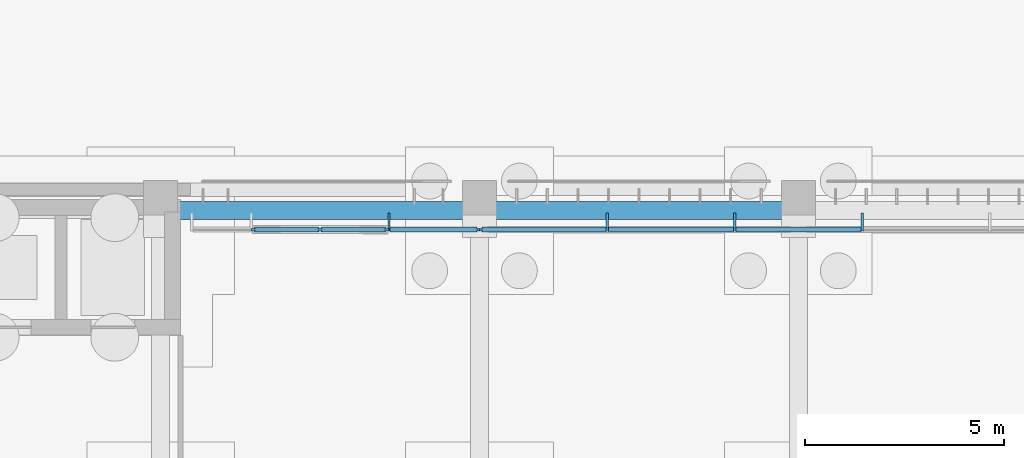
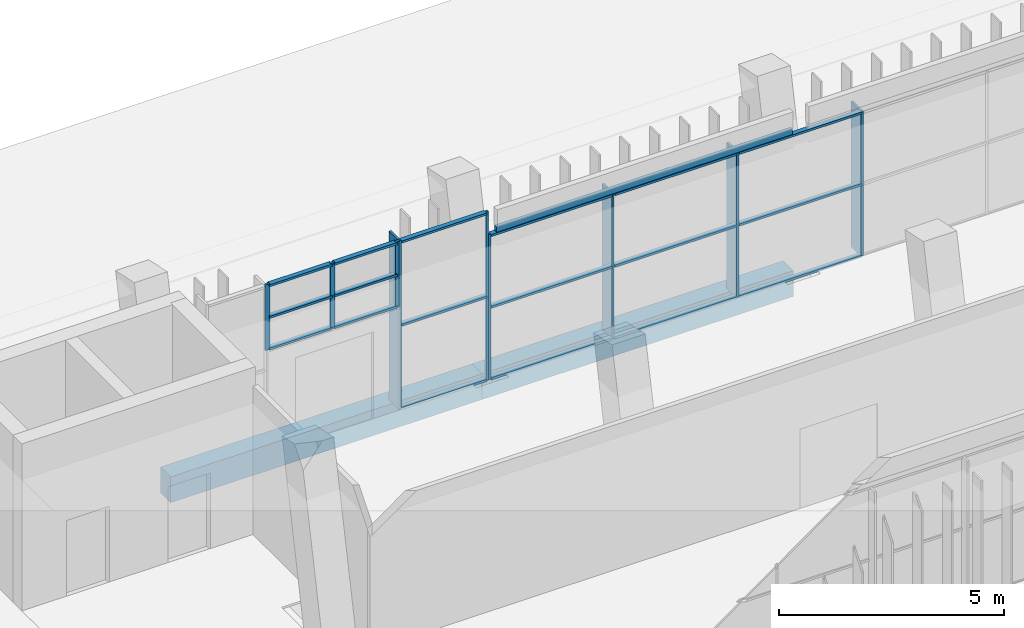
# One storey, part 65 of 144: 27 members, 3 beams, 3 elements without a shape of their own.
"""IFC4 building model written with IfcOpenShell, lengths in metres."""

from ifc_helpers import new_model, si_unit, direction, frame, origin, origin_2d, place, context, subcontext, project, spatial, rectangle, hollow_rectangle, extrude, material, material_profile, profile_set, type_object, element, aggregate, save


model = new_model("IFC4")

# Units and contexts
model_context = context("Model", 3, precision=1e-05, world=origin(), true_north=direction((0.0, 1.0)))
body_context = subcontext(model_context, "Body", "Model", "MODEL_VIEW")
ifc_project = project(units=[si_unit("LENGTHUNIT", "METRE"), si_unit("AREAUNIT", "SQUARE_METRE"), si_unit("VOLUMEUNIT", "CUBIC_METRE"), si_unit("PLANEANGLEUNIT", "RADIAN"), si_unit("MASSUNIT", "GRAM", prefix="KILO")], contexts=[model_context])

# Site, building, storey
site_placement = place(None, origin())
site = spatial("IfcSite", under=ifc_project, at=site_placement, CompositionType="ELEMENT")
building_placement = place(site_placement, origin())
building = spatial("IfcBuilding", under=site, at=building_placement, Name="Lantern Court Media Centre", CompositionType="ELEMENT")
storey_placement = place(building_placement, origin())
storey = spatial("IfcBuildingStorey", under=building, at=storey_placement, Name="L00", CompositionType="ELEMENT", Elevation=0.0)

# Curtain wall, members
ifc_material_1 = material(Name="Curtain wall bay 1700")
curtain_wall_type_1 = type_object("IfcCurtainWallType", Name="Curtain wall bay 1700", PredefinedType="NOTDEFINED", material=ifc_material_1)
curtain_wall_1_placement = place(storey_placement, origin())
curtain_wall_1 = element("IfcCurtainWall", 1, at=curtain_wall_1_placement, inside=storey, type_object=curtain_wall_type_1, Name="Curtain wall N outer L00", PredefinedType="NOTDEFINED")
ifc_material_2 = material(Name="Anodised aluminium", Category="aluminium")
ifc_material_profile_1 = material_profile(ifc_material_2, rectangle(XDim=0.06005859375, YDim=0.1201171875, at=origin_2d()), Name="AL 60x120")
ifc_profile_set_1 = profile_set([ifc_material_profile_1], Name="Anodised aluminium")
member_type_1 = type_object("IfcMemberType", Name="Curtain wall mullion 60x120", PredefinedType="MULLION", material=ifc_profile_set_1)
member_1_placement = place(storey_placement, frame((34.330078125, 110.85009765625, 2.800048828125), z_axis=(0.0, 0.0, 1.0), x_axis=(0.0, 1.0, 0.0)))
member_1 = element("IfcMember", 2, at=member_1_placement, type_object=member_type_1, Name="CW4 mullion 1", PredefinedType="MULLION", context=body_context, shape_type="SweptSolid", body=[
    extrude(rectangle(XDim=0.06005859375, YDim=0.1201171875, at=origin_2d()), origin(), (0.0, 0.0, 1.0), 1.780029296875),
])
member_2_placement = place(storey_placement, frame((36.0, 110.85009765625, 2.800048828125), z_axis=(0.0, 0.0, 1.0), x_axis=(0.0, 1.0, 0.0)))
member_2 = element("IfcMember", 3, at=member_2_placement, type_object=member_type_1, Name="CW4 mullion 2", PredefinedType="MULLION", context=body_context, shape_type="SweptSolid", body=[
    extrude(rectangle(XDim=0.06005859375, YDim=0.1201171875, at=origin_2d()), origin(), (0.0, 0.0, 1.0), 1.780029296875),
])
member_3_placement = place(storey_placement, frame((37.669921875, 110.85009765625, 2.800048828125), z_axis=(0.0, 0.0, 1.0), x_axis=(0.0, 1.0, 0.0)))
member_3 = element("IfcMember", 4, at=member_3_placement, type_object=member_type_1, Name="CW4 mullion 3", PredefinedType="MULLION", context=body_context, shape_type="SweptSolid", body=[
    extrude(rectangle(XDim=0.06005859375, YDim=0.1201171875, at=origin_2d()), origin(), (0.0, 0.0, 1.0), 1.780029296875),
])

# Curtain wall, member
ifc_material_3 = material(Name="Curtain wall bay 3000")
curtain_wall_type_2 = type_object("IfcCurtainWallType", Name="Curtain wall bay 3000", PredefinedType="NOTDEFINED", material=ifc_material_3)
curtain_wall_2_placement = place(storey_placement, origin())
curtain_wall_2 = element("IfcCurtainWall", 5, at=curtain_wall_2_placement, inside=storey, type_object=curtain_wall_type_2, Name="Curtain wall N outer L00", PredefinedType="NOTDEFINED")
ifc_material_profile_2 = material_profile(ifc_material_2, rectangle(XDim=0.449951171875, YDim=0.06005859375, at=origin_2d()), Name="AL 60x450")
ifc_profile_set_2 = profile_set([ifc_material_profile_2], Name="Anodised aluminium")
member_type_2 = type_object("IfcMemberType", Name="Curtain wall mullion 60x450", PredefinedType="MULLION", material=ifc_profile_set_2)
member_4_placement = place(storey_placement, frame((37.72998046875, 111.044921875, 0.0), z_axis=(0.0, 0.0, 1.0), x_axis=(0.0, 1.0, 0.0)))
member_4 = element("IfcMember", 6, at=member_4_placement, type_object=member_type_2, Name="CW1 mullion 1", PredefinedType="MULLION", context=body_context, shape_type="SweptSolid", body=[
    extrude(rectangle(XDim=0.449951171875, YDim=0.06005859375, at=origin_2d()), origin(), (0.0, 0.0, 1.0), 4.580078125),
])

# Curtain wall, members
curtain_wall_3_placement = place(storey_placement, origin())
curtain_wall_3 = element("IfcCurtainWall", 7, at=curtain_wall_3_placement, inside=storey, type_object=curtain_wall_type_2, Name="Curtain wall N outer L00", PredefinedType="NOTDEFINED")
member_5_placement = place(storey_placement, frame((43.199951171875, 111.044921875, 0.0), z_axis=(0.0, 0.0, 1.0), x_axis=(0.0, 1.0, 0.0)))
member_5 = element("IfcMember", 8, at=member_5_placement, type_object=member_type_2, Name="CW1 mullion 2", PredefinedType="MULLION", context=body_context, shape_type="SweptSolid", body=[
    extrude(rectangle(XDim=0.449951171875, YDim=0.06005859375, at=origin_2d()), origin(), (0.0, 0.0, 1.0), 3.949951171875),
])
member_6_placement = place(storey_placement, frame((46.39990234375, 111.044921875, 0.0), z_axis=(0.0, 0.0, 1.0), x_axis=(0.0, 1.0, 0.0)))
member_6 = element("IfcMember", 9, at=member_6_placement, type_object=member_type_2, Name="CW1 mullion 3", PredefinedType="MULLION", context=body_context, shape_type="SweptSolid", body=[
    extrude(rectangle(XDim=0.449951171875, YDim=0.06005859375, at=origin_2d()), origin(), (0.0, 0.0, 1.0), 3.949951171875),
])
member_7_placement = place(storey_placement, frame((49.60009765625, 111.044921875, 0.0), z_axis=(0.0, 0.0, 1.0), x_axis=(0.0, 1.0, 0.0)))
member_7 = element("IfcMember", 10, at=member_7_placement, type_object=member_type_2, Name="CW1 mullion 4", PredefinedType="MULLION", context=body_context, shape_type="SweptSolid", body=[
    extrude(rectangle(XDim=0.449951171875, YDim=0.06005859375, at=origin_2d()), origin(), (0.0, 0.0, 1.0), 3.949951171875),
])

# Member
ifc_material_profile_3 = material_profile(ifc_material_2, rectangle(XDim=0.06005859375, YDim=0.06005859375, at=origin_2d()), Name="AL 60x60")
ifc_profile_set_3 = profile_set([ifc_material_profile_3], Name="Anodised aluminium")
member_type_3 = type_object("IfcMemberType", Name="Curtain wall mullion 60x60", PredefinedType="MULLION", material=ifc_profile_set_3)
member_8_placement = place(storey_placement, frame((39.969970703125, 110.85009765625, 0.0), z_axis=(0.0, 0.0, 1.0), x_axis=(0.0, 1.0, 0.0)))
member_8 = element("IfcMember", 11, at=member_8_placement, type_object=member_type_3, Name="CW1 mullion 2", PredefinedType="MULLION", context=body_context, shape_type="SweptSolid", body=[
    extrude(rectangle(XDim=0.06005859375, YDim=0.06005859375, at=origin_2d()), origin(), (0.0, 0.0, 1.0), 4.580078125),
])

member_9_placement = place(storey_placement, frame((40.030029296875, 110.85009765625, 0.0), z_axis=(0.0, 0.0, 1.0), x_axis=(0.0, 1.0, 0.0)))
member_9 = element("IfcMember", 12, at=member_9_placement, type_object=member_type_3, Name="CW1 mullion 1", PredefinedType="MULLION", context=body_context, shape_type="SweptSolid", body=[
    extrude(rectangle(XDim=0.06005859375, YDim=0.06005859375, at=origin_2d()), origin(), (0.0, 0.0, 1.0), 3.949951171875),
])

ifc_material_profile_4 = material_profile(ifc_material_2, rectangle(XDim=0.1201171875, YDim=0.06005859375, at=origin_2d()), Name="AL 60x120")
ifc_profile_set_4 = profile_set([ifc_material_profile_4], Name="Anodised aluminium")
member_type_4 = type_object("IfcMemberType", Name="Curtain wall transom 60x120", PredefinedType="USERDEFINED", material=ifc_profile_set_4)
member_10_placement = place(storey_placement, frame((37.760009765625, 110.85009765625, 0.030029296875), z_axis=(1.0, 0.0, 0.0), x_axis=(0.0, 1.0, 0.0)))
member_10 = element("IfcMember", 13, at=member_10_placement, type_object=member_type_4, Name="CW1 transom 1.1", ObjectType="TRANSOM", PredefinedType="USERDEFINED", context=body_context, shape_type="SweptSolid", body=[
    extrude(rectangle(XDim=0.1201171875, YDim=0.06005859375, at=origin_2d()), origin(), (0.0, 0.0, 1.0), 2.179931640625),
])

member_11_placement = place(storey_placement, frame((37.760009765625, 110.85009765625, 2.2900390625), z_axis=(1.0, 0.0, 0.0), x_axis=(0.0, 1.0, 0.0)))
member_11 = element("IfcMember", 14, at=member_11_placement, type_object=member_type_4, Name="CW1 transom 1.2", ObjectType="TRANSOM", PredefinedType="USERDEFINED", context=body_context, shape_type="SweptSolid", body=[
    extrude(rectangle(XDim=0.1201171875, YDim=0.06005859375, at=origin_2d()), origin(), (0.0, 0.0, 1.0), 2.179931640625),
])

member_12_placement = place(storey_placement, frame((37.760009765625, 110.85009765625, 4.550048828125), z_axis=(1.0, 0.0, 0.0), x_axis=(0.0, 1.0, 0.0)))
member_12 = element("IfcMember", 15, at=member_12_placement, type_object=member_type_4, Name="CW1 transom 1.3", ObjectType="TRANSOM", PredefinedType="USERDEFINED", context=body_context, shape_type="SweptSolid", body=[
    extrude(rectangle(XDim=0.1201171875, YDim=0.06005859375, at=origin_2d()), origin(), (0.0, 0.0, 1.0), 2.179931640625),
])

aggregate(curtain_wall_2, [member_4, member_8, member_10, member_11, member_12])

member_13_placement = place(storey_placement, frame((40.06005859375, 110.85009765625, 0.030029296875), z_axis=(1.0, 0.0, 0.0), x_axis=(0.0, 1.0, 0.0)))
member_13 = element("IfcMember", 16, at=member_13_placement, type_object=member_type_4, Name="CW1 transom 1.1", ObjectType="TRANSOM", PredefinedType="USERDEFINED", context=body_context, shape_type="SweptSolid", body=[
    extrude(rectangle(XDim=0.1201171875, YDim=0.06005859375, at=origin_2d()), origin(), (0.0, 0.0, 1.0), 3.10986328125),
])

member_14_placement = place(storey_placement, frame((40.06005859375, 110.85009765625, 1.97509765625), z_axis=(1.0, 0.0, 0.0), x_axis=(0.0, 1.0, 0.0)))
member_14 = element("IfcMember", 17, at=member_14_placement, type_object=member_type_4, Name="CW1 transom 1.2", ObjectType="TRANSOM", PredefinedType="USERDEFINED", context=body_context, shape_type="SweptSolid", body=[
    extrude(rectangle(XDim=0.1201171875, YDim=0.06005859375, at=origin_2d()), origin(), (0.0, 0.0, 1.0), 3.10986328125),
])

member_15_placement = place(storey_placement, frame((40.06005859375, 110.85009765625, 3.919921875), z_axis=(1.0, 0.0, 0.0), x_axis=(0.0, 1.0, 0.0)))
member_15 = element("IfcMember", 18, at=member_15_placement, type_object=member_type_4, Name="CW1 transom 1.3", ObjectType="TRANSOM", PredefinedType="USERDEFINED", context=body_context, shape_type="SweptSolid", body=[
    extrude(rectangle(XDim=0.1201171875, YDim=0.06005859375, at=origin_2d()), origin(), (0.0, 0.0, 1.0), 3.10986328125),
])

member_16_placement = place(storey_placement, frame((43.22998046875, 110.85009765625, 0.030029296875), z_axis=(1.0, 0.0, 0.0), x_axis=(0.0, 1.0, 0.0)))
member_16 = element("IfcMember", 19, at=member_16_placement, type_object=member_type_4, Name="CW1 transom 2.1", ObjectType="TRANSOM", PredefinedType="USERDEFINED", context=body_context, shape_type="SweptSolid", body=[
    extrude(rectangle(XDim=0.1201171875, YDim=0.06005859375, at=origin_2d()), origin(), (0.0, 0.0, 1.0), 3.14013671875),
])

member_17_placement = place(storey_placement, frame((43.22998046875, 110.85009765625, 1.97509765625), z_axis=(1.0, 0.0, 0.0), x_axis=(0.0, 1.0, 0.0)))
member_17 = element("IfcMember", 20, at=member_17_placement, type_object=member_type_4, Name="CW1 transom 2.2", ObjectType="TRANSOM", PredefinedType="USERDEFINED", context=body_context, shape_type="SweptSolid", body=[
    extrude(rectangle(XDim=0.1201171875, YDim=0.06005859375, at=origin_2d()), origin(), (0.0, 0.0, 1.0), 3.14013671875),
])

member_18_placement = place(storey_placement, frame((43.22998046875, 110.85009765625, 3.919921875), z_axis=(1.0, 0.0, 0.0), x_axis=(0.0, 1.0, 0.0)))
member_18 = element("IfcMember", 21, at=member_18_placement, type_object=member_type_4, Name="CW1 transom 2.3", ObjectType="TRANSOM", PredefinedType="USERDEFINED", context=body_context, shape_type="SweptSolid", body=[
    extrude(rectangle(XDim=0.1201171875, YDim=0.06005859375, at=origin_2d()), origin(), (0.0, 0.0, 1.0), 3.14013671875),
])

member_19_placement = place(storey_placement, frame((46.429931640625, 110.85009765625, 0.030029296875), z_axis=(1.0, 0.0, 0.0), x_axis=(0.0, 1.0, 0.0)))
member_19 = element("IfcMember", 22, at=member_19_placement, type_object=member_type_4, Name="CW1 transom 3.1", ObjectType="TRANSOM", PredefinedType="USERDEFINED", context=body_context, shape_type="SweptSolid", body=[
    extrude(rectangle(XDim=0.1201171875, YDim=0.06005859375, at=origin_2d()), origin(), (0.0, 0.0, 1.0), 3.14013671875),
])

member_20_placement = place(storey_placement, frame((46.429931640625, 110.85009765625, 1.97509765625), z_axis=(1.0, 0.0, 0.0), x_axis=(0.0, 1.0, 0.0)))
member_20 = element("IfcMember", 23, at=member_20_placement, type_object=member_type_4, Name="CW1 transom 3.2", ObjectType="TRANSOM", PredefinedType="USERDEFINED", context=body_context, shape_type="SweptSolid", body=[
    extrude(rectangle(XDim=0.1201171875, YDim=0.06005859375, at=origin_2d()), origin(), (0.0, 0.0, 1.0), 3.14013671875),
])

member_21_placement = place(storey_placement, frame((46.429931640625, 110.85009765625, 3.919921875), z_axis=(1.0, 0.0, 0.0), x_axis=(0.0, 1.0, 0.0)))
member_21 = element("IfcMember", 24, at=member_21_placement, type_object=member_type_4, Name="CW1 transom 3.3", ObjectType="TRANSOM", PredefinedType="USERDEFINED", context=body_context, shape_type="SweptSolid", body=[
    extrude(rectangle(XDim=0.1201171875, YDim=0.06005859375, at=origin_2d()), origin(), (0.0, 0.0, 1.0), 3.14013671875),
])

aggregate(curtain_wall_3, [member_9, member_5, member_6, member_7, member_13, member_14, member_15, member_16, member_17, member_18, member_19, member_20, member_21])

member_22_placement = place(storey_placement, frame((34.360107421875, 110.85009765625, 2.830078125), z_axis=(1.0, 0.0, 0.0), x_axis=(0.0, 1.0, 0.0)))
member_22 = element("IfcMember", 25, at=member_22_placement, type_object=member_type_4, Name="CW4 transom 1.1", ObjectType="TRANSOM", PredefinedType="USERDEFINED", context=body_context, shape_type="SweptSolid", body=[
    extrude(rectangle(XDim=0.1201171875, YDim=0.06005859375, at=origin_2d()), origin(), (0.0, 0.0, 1.0), 1.60986328125),
])

member_23_placement = place(storey_placement, frame((34.360107421875, 110.85009765625, 3.68994140625), z_axis=(1.0, 0.0, 0.0), x_axis=(0.0, 1.0, 0.0)))
member_23 = element("IfcMember", 26, at=member_23_placement, type_object=member_type_4, Name="CW4 transom 1.2", ObjectType="TRANSOM", PredefinedType="USERDEFINED", context=body_context, shape_type="SweptSolid", body=[
    extrude(rectangle(XDim=0.1201171875, YDim=0.06005859375, at=origin_2d()), origin(), (0.0, 0.0, 1.0), 1.60986328125),
])

member_24_placement = place(storey_placement, frame((34.360107421875, 110.85009765625, 4.550048828125), z_axis=(1.0, 0.0, 0.0), x_axis=(0.0, 1.0, 0.0)))
member_24 = element("IfcMember", 27, at=member_24_placement, type_object=member_type_4, Name="CW4 transom 1.3", ObjectType="TRANSOM", PredefinedType="USERDEFINED", context=body_context, shape_type="SweptSolid", body=[
    extrude(rectangle(XDim=0.1201171875, YDim=0.06005859375, at=origin_2d()), origin(), (0.0, 0.0, 1.0), 1.60986328125),
])

member_25_placement = place(storey_placement, frame((36.030029296875, 110.85009765625, 2.830078125), z_axis=(1.0, 0.0, 0.0), x_axis=(0.0, 1.0, 0.0)))
member_25 = element("IfcMember", 28, at=member_25_placement, type_object=member_type_4, Name="CW4 transom 2.1", ObjectType="TRANSOM", PredefinedType="USERDEFINED", context=body_context, shape_type="SweptSolid", body=[
    extrude(rectangle(XDim=0.1201171875, YDim=0.06005859375, at=origin_2d()), origin(), (0.0, 0.0, 1.0), 1.60986328125),
])

member_26_placement = place(storey_placement, frame((36.030029296875, 110.85009765625, 3.68994140625), z_axis=(1.0, 0.0, 0.0), x_axis=(0.0, 1.0, 0.0)))
member_26 = element("IfcMember", 29, at=member_26_placement, type_object=member_type_4, Name="CW4 transom 2.2", ObjectType="TRANSOM", PredefinedType="USERDEFINED", context=body_context, shape_type="SweptSolid", body=[
    extrude(rectangle(XDim=0.1201171875, YDim=0.06005859375, at=origin_2d()), origin(), (0.0, 0.0, 1.0), 1.60986328125),
])

member_27_placement = place(storey_placement, frame((36.030029296875, 110.85009765625, 4.550048828125), z_axis=(1.0, 0.0, 0.0), x_axis=(0.0, 1.0, 0.0)))
member_27 = element("IfcMember", 30, at=member_27_placement, type_object=member_type_4, Name="CW4 transom 2.3", ObjectType="TRANSOM", PredefinedType="USERDEFINED", context=body_context, shape_type="SweptSolid", body=[
    extrude(rectangle(XDim=0.1201171875, YDim=0.06005859375, at=origin_2d()), origin(), (0.0, 0.0, 1.0), 1.60986328125),
])

aggregate(curtain_wall_1, [member_1, member_2, member_3, member_22, member_23, member_24, member_25, member_26, member_27])

# Beams
ifc_material_4 = material(Name="Steel S355J2 (EN 10025-2)", Category="steel")
ifc_material_profile_5 = material_profile(ifc_material_4, hollow_rectangle(XDim=0.10009765625, YDim=0.14990234375, WallThickness=0.00634765625, InnerFilletRadius=0.00634765625, OuterFilletRadius=0.009521484375, at=origin_2d()), Name="Facade head lintel RHS 150x100x6.3")
ifc_profile_set_5 = profile_set([ifc_material_profile_5], Name="Steel S355J2 (EN 10025-2)")
beam_type_1 = type_object("IfcBeamType", Name="Facade head lintel RHS 150x100x6.3", PredefinedType="BEAM", material=ifc_profile_set_5)
beam_placement = place(storey_placement, frame((40.199951171875, 110.85009765625, 4.02490234375), z_axis=(1.0, 0.0, 0.0), x_axis=(0.0, 1.0, 0.0)))
element("IfcBeam", 31, at=beam_placement, inside=storey, type_object=beam_type_1, Name="Facade head lintel N L00", PredefinedType="BEAM", context=body_context, shape_type="SweptSolid", body=[
    extrude(hollow_rectangle(XDim=0.10009765625, YDim=0.14990234375, WallThickness=0.00634765625, InnerFilletRadius=0.00634765625, OuterFilletRadius=0.009521484375, at=origin_2d()), origin(), (0.0, 0.0, 1.0), 7.60009765625),
])
ifc_material_5 = material(Name="Concrete C35", Category="concrete")
ifc_material_profile_6 = material_profile(ifc_material_5, rectangle(XDim=0.449951171875, YDim=0.699951171875, at=origin_2d()), Name="RC 450x700")
ifc_profile_set_6 = profile_set([ifc_material_profile_6], Name="Concrete C35")
beam_type_2 = type_object("IfcBeamType", Name="RC BEAM 450x700", PredefinedType="BEAM", material=ifc_profile_set_6)
for number, where, z_axis, x_axis, name in (
    (32, (32.0, 111.3271484375, -0.35009765625), (1.0, 0.0, 0.0), (0.0, 1.0, 0.0), "LB-N-L00-2-1"),
    (33, (40.0, 111.3271484375, -0.35009765625), (1.0, 0.0, 0.0), (0.0, 1.0, 0.0), "LB-N-L00-2-2"),
):
    element("IfcBeam", number, at=place(storey_placement, frame(where, z_axis=z_axis, x_axis=x_axis)), inside=storey, type_object=beam_type_2, Name=name, PredefinedType="BEAM", context=body_context, shape_type="SweptSolid", body=[
        extrude(rectangle(XDim=0.449951171875, YDim=0.699951171875, at=origin_2d()), origin(), (0.0, 0.0, 1.0), 8.0),
    ])

save(model, "model.ifc")
